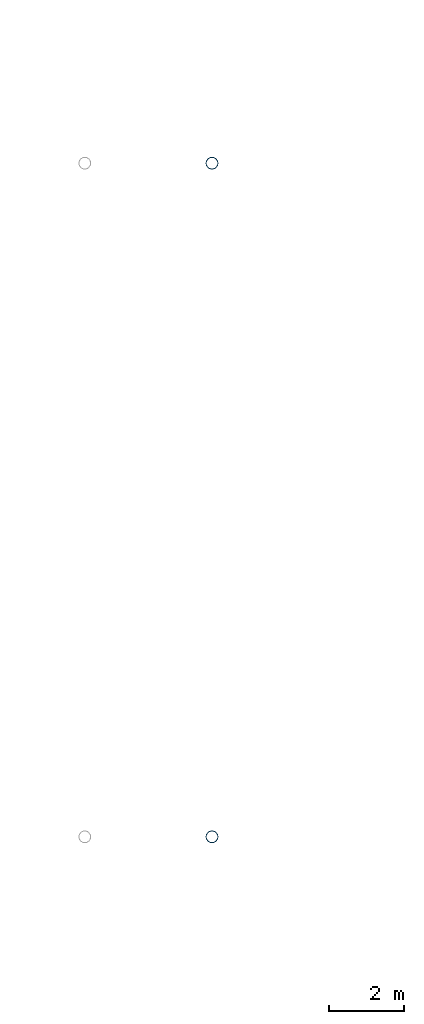
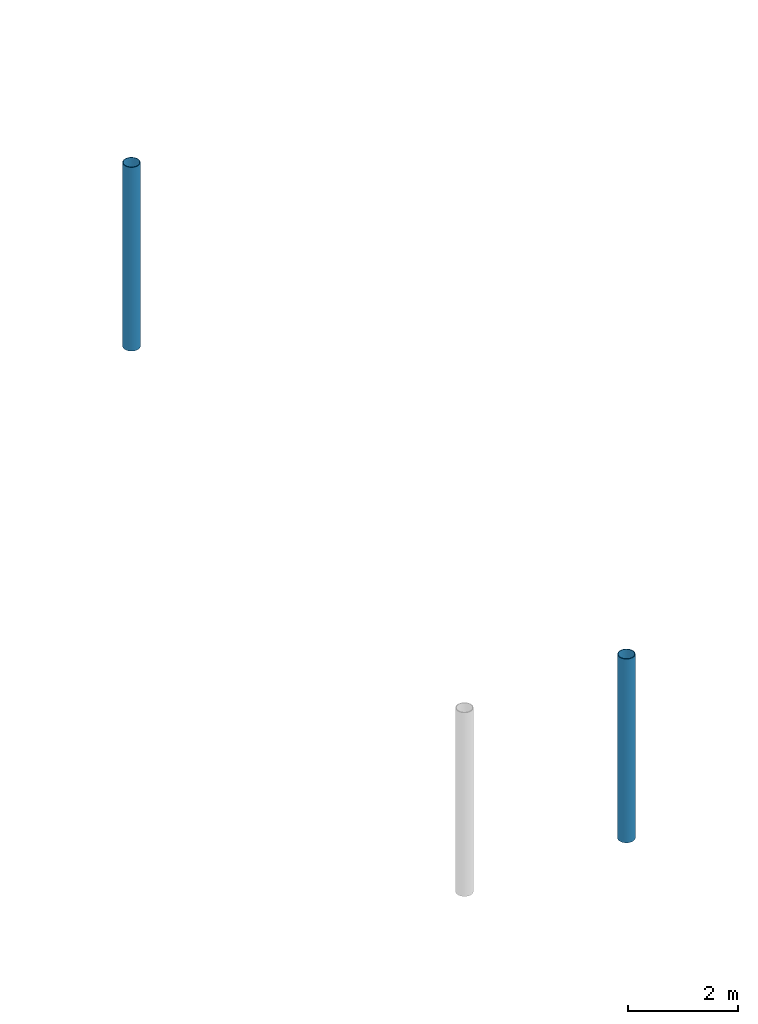
# One storey, part 6 of 91: 2 columns.
"""IFC4 building model written with IfcOpenShell, lengths in metres."""

from ifc_helpers import new_model, si_unit, direction, frame, origin, origin_2d, place, context, subcontext, project, spatial, hollow_circle, extrude, material, material_profile, profile_set, type_object, element, save


model = new_model("IFC4")

# Units and contexts
model_context = context("Model", 3, precision=1e-05, world=origin(), true_north=direction((0.0, 1.0)))
body_context = subcontext(model_context, "Body", "Model", "MODEL_VIEW")
ifc_project = project(units=[si_unit("LENGTHUNIT", "METRE"), si_unit("AREAUNIT", "SQUARE_METRE"), si_unit("VOLUMEUNIT", "CUBIC_METRE"), si_unit("PLANEANGLEUNIT", "RADIAN"), si_unit("MASSUNIT", "GRAM", prefix="KILO")], contexts=[model_context])

# Site, building, storey
site_placement = place(None, origin())
site = spatial("IfcSite", under=ifc_project, at=site_placement, CompositionType="ELEMENT")
building_placement = place(site_placement, origin())
building = spatial("IfcBuilding", under=site, at=building_placement, Name="Valcora Specialist Clinic", CompositionType="ELEMENT")
storey_placement = place(building_placement, frame((0.0, 0.0, 13.60009765625)))
storey = spatial("IfcBuildingStorey", under=building, at=storey_placement, Name="L03", CompositionType="ELEMENT", Elevation=13.60009765625)

# Columns
ifc_material = material(Name="Steel ASTM A500 Grade C", Category="steel")
ifc_material_profile = material_profile(ifc_material, hollow_circle(Radius=0.162109375, WallThickness=0.011962890625, at=origin_2d()), Name="ST-CHS-324X12")
ifc_profile_set = profile_set([ifc_material_profile], Name="Steel ASTM A500 Grade C")
column_type = type_object("IfcColumnType", Name="TY-COL-CHS324", PredefinedType="COLUMN", material=ifc_profile_set)
for number, where, z_axis, x_axis, name in (
    (1, (65.0, 38.0, 0.0), (0.0, 0.0, 1.0), (1.0, 0.0, 0.0), "Column COL-L03-0993"),
    (2, (65.0, 56.0, 0.0), (0.0, 0.0, 1.0), (1.0, 0.0, 0.0), "Column COL-L03-0999"),
):
    element("IfcColumn", number, at=place(storey_placement, frame(where, z_axis=z_axis, x_axis=x_axis)), inside=storey, type_object=column_type, Name=name, PredefinedType="COLUMN", context=body_context, shape_type="SweptSolid", body=[
        extrude(hollow_circle(Radius=0.162109375, WallThickness=0.011962890625, at=origin_2d()), origin(), (0.0, 0.0, 1.0), 4.079833984375),
    ])

save(model, "model.ifc")
